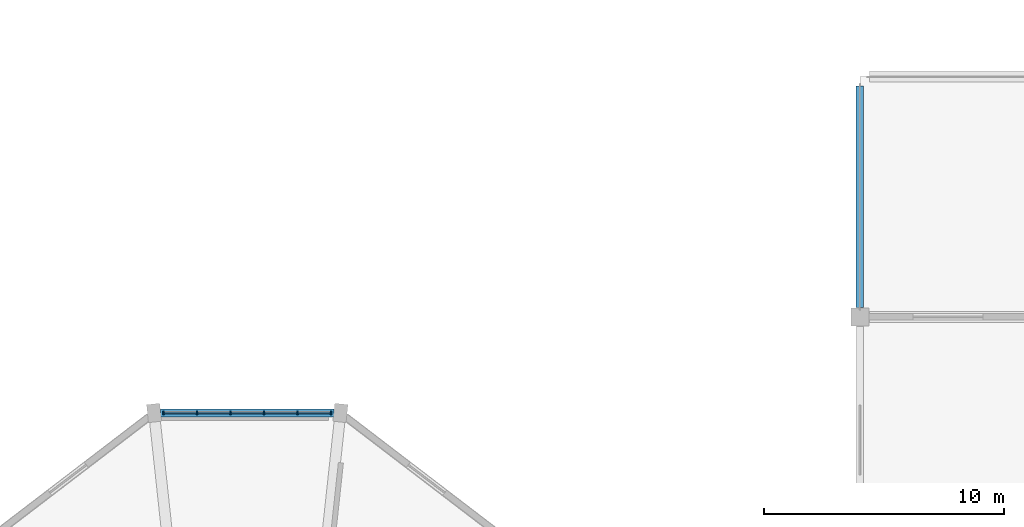
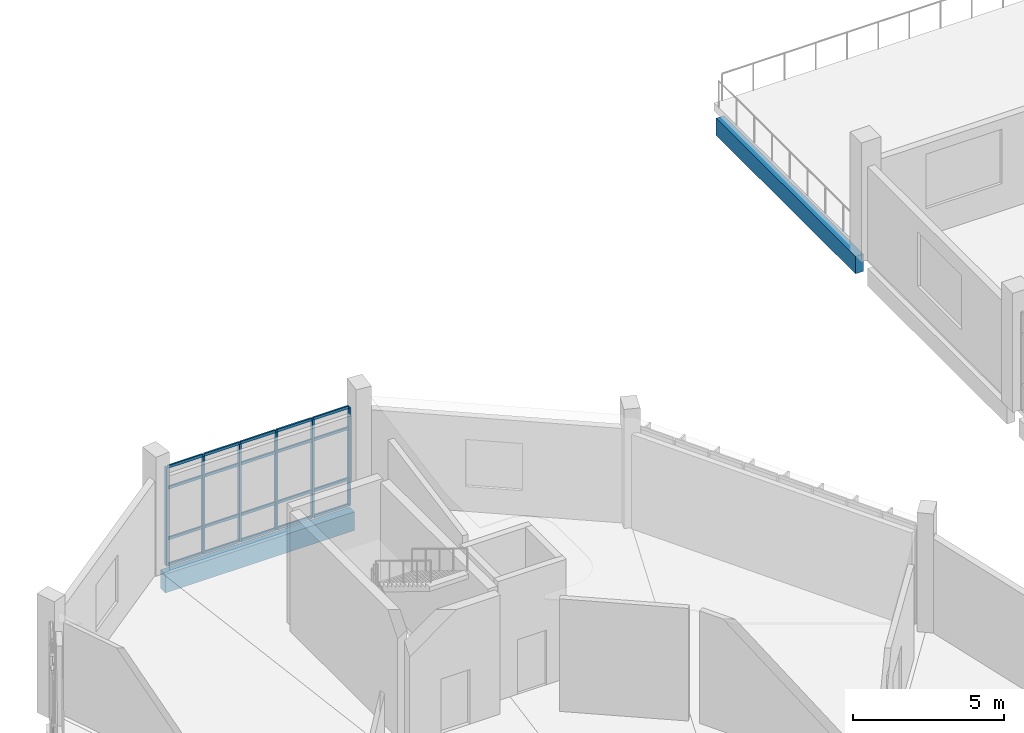
# One storey, part 77 of 179: 26 members, 2 beams, 1 element without a shape of its own.
"""IFC4 building model written with IfcOpenShell, lengths in metres."""

from ifc_helpers import new_model, si_unit, direction, frame, origin, origin_2d, place, context, subcontext, project, spatial, rectangle, extrude, material, layer, layer_set, material_profile, profile_set, type_object, element, aggregate, save


model = new_model("IFC4")

# Units and contexts
model_context = context("Model", 3, precision=1e-05, world=origin(), true_north=direction((0.0, 1.0)))
body_context = subcontext(model_context, "Body", "Model", "MODEL_VIEW")
ifc_project = project(units=[si_unit("LENGTHUNIT", "METRE"), si_unit("AREAUNIT", "SQUARE_METRE"), si_unit("VOLUMEUNIT", "CUBIC_METRE"), si_unit("PLANEANGLEUNIT", "RADIAN"), si_unit("MASSUNIT", "GRAM", prefix="KILO")], contexts=[model_context])

# Site, building, storey
site_placement = place(None, origin())
site = spatial("IfcSite", under=ifc_project, at=site_placement, CompositionType="ELEMENT")
building_placement = place(site_placement, origin())
building = spatial("IfcBuilding", under=site, at=building_placement, Name="Corvandel Quay Wholesale Market", CompositionType="ELEMENT")
storey_placement = place(building_placement, frame((0.0, 0.0, 6.0)))
storey = spatial("IfcBuildingStorey", under=building, at=storey_placement, Name="L01", CompositionType="ELEMENT", Elevation=6.0)

# Curtain wall, members
ifc_material_1 = material(Name="Bronze anodised aluminium and low-E insulated glazing", Category="aluminium")
ifc_layer = layer(ifc_material_1, 0.18603515625)
ifc_layer_set = layer_set([ifc_layer], Name="Bronze anodised aluminium and low-E insulated glazing")
curtain_wall_type = type_object("IfcCurtainWallType", Name="Stick Curtain Wall System CW13 H4170", PredefinedType="NOTDEFINED", material=ifc_layer_set)
curtain_wall_placement = place(storey_placement, origin())
curtain_wall = element("IfcCurtainWall", 1, at=curtain_wall_placement, inside=storey, type_object=curtain_wall_type, Name="Curtain Wall CW-0132", PredefinedType="NOTDEFINED")
ifc_material_2 = material(Name="Anodised aluminium 6063-T6", Category="aluminium")
ifc_material_profile_1 = material_profile(ifc_material_2, rectangle(XDim=0.06494140625, YDim=0.14990234375, at=origin_2d()), Name="ALU-MUL-65x150")
ifc_profile_set_1 = profile_set([ifc_material_profile_1], Name="Anodised aluminium 6063-T6")
member_type_1 = type_object("IfcMemberType", Name="Curtain Wall Mullion ML02 65x150", PredefinedType="MULLION", material=ifc_profile_set_1)
member_1_placement = place(storey_placement, frame((197.97900390625, 96.0, 0.0), z_axis=(0.0, 0.0, 1.0), x_axis=(1.0, 0.0, 0.0)))
member_1 = element("IfcMember", 2, at=member_1_placement, type_object=member_type_1, Name="Mullion CW-0132-M00", PredefinedType="MULLION", context=body_context, shape_type="SweptSolid", body=[
    extrude(rectangle(XDim=0.06494140625, YDim=0.14990234375, at=origin_2d()), origin(), (0.0, 0.0, 1.0), 3.949951171875),
])
member_2_placement = place(storey_placement, frame((196.58740234375, 96.0, 0.0), z_axis=(0.0, 0.0, 1.0), x_axis=(1.0, 0.0, 0.0)))
member_2 = element("IfcMember", 3, at=member_2_placement, type_object=member_type_1, Name="Mullion CW-0132-M01", PredefinedType="MULLION", context=body_context, shape_type="SweptSolid", body=[
    extrude(rectangle(XDim=0.06494140625, YDim=0.14990234375, at=origin_2d()), origin(), (0.0, 0.0, 1.0), 3.949951171875),
])
member_3_placement = place(storey_placement, frame((195.19580078125, 96.0, 0.0), z_axis=(0.0, 0.0, 1.0), x_axis=(1.0, 0.0, 0.0)))
member_3 = element("IfcMember", 4, at=member_3_placement, type_object=member_type_1, Name="Mullion CW-0132-M02", PredefinedType="MULLION", context=body_context, shape_type="SweptSolid", body=[
    extrude(rectangle(XDim=0.06494140625, YDim=0.14990234375, at=origin_2d()), origin(), (0.0, 0.0, 1.0), 3.949951171875),
])
member_4_placement = place(storey_placement, frame((193.80419921875, 96.0, 0.0), z_axis=(0.0, 0.0, 1.0), x_axis=(1.0, 0.0, 0.0)))
member_4 = element("IfcMember", 5, at=member_4_placement, type_object=member_type_1, Name="Mullion CW-0132-M03", PredefinedType="MULLION", context=body_context, shape_type="SweptSolid", body=[
    extrude(rectangle(XDim=0.06494140625, YDim=0.14990234375, at=origin_2d()), origin(), (0.0, 0.0, 1.0), 3.949951171875),
])
member_5_placement = place(storey_placement, frame((192.41259765625, 96.0, 0.0), z_axis=(0.0, 0.0, 1.0), x_axis=(1.0, 0.0, 0.0)))
member_5 = element("IfcMember", 6, at=member_5_placement, type_object=member_type_1, Name="Mullion CW-0132-M04", PredefinedType="MULLION", context=body_context, shape_type="SweptSolid", body=[
    extrude(rectangle(XDim=0.06494140625, YDim=0.14990234375, at=origin_2d()), origin(), (0.0, 0.0, 1.0), 3.949951171875),
])
member_6_placement = place(storey_placement, frame((191.02099609375, 96.0, 0.0), z_axis=(0.0, 0.0, 1.0), x_axis=(1.0, 0.0, 0.0)))
member_6 = element("IfcMember", 7, at=member_6_placement, type_object=member_type_1, Name="Mullion CW-0132-M05", PredefinedType="MULLION", context=body_context, shape_type="SweptSolid", body=[
    extrude(rectangle(XDim=0.06494140625, YDim=0.14990234375, at=origin_2d()), origin(), (0.0, 0.0, 1.0), 3.949951171875),
])
ifc_material_profile_2 = material_profile(ifc_material_2, rectangle(XDim=0.06005859375, YDim=0.110107421875, at=origin_2d()), Name="ALU-TRN-60x110")
ifc_profile_set_2 = profile_set([ifc_material_profile_2], Name="Anodised aluminium 6063-T6")
member_type_2 = type_object("IfcMemberType", Name="Curtain Wall Transom TR02 60x110", PredefinedType="USERDEFINED", material=ifc_profile_set_2)
member_7_placement = place(storey_placement, frame((197.946533203125, 96.0, 0.0), z_axis=(-1.0, 0.0, 0.0), x_axis=(0.0, -1.0, 0.0)))
member_7 = element("IfcMember", 8, at=member_7_placement, type_object=member_type_2, Name="Transom CW-0132-T00-0", ObjectType="TRANSOM", PredefinedType="USERDEFINED", context=body_context, shape_type="SweptSolid", body=[
    extrude(rectangle(XDim=0.06005859375, YDim=0.110107421875, at=origin_2d()), origin(), (0.0, 0.0, 1.0), 1.32666015625),
])
member_8_placement = place(storey_placement, frame((197.946533203125, 96.0, 1.050048828125), z_axis=(-1.0, 0.0, 0.0), x_axis=(0.0, -1.0, 0.0)))
member_8 = element("IfcMember", 9, at=member_8_placement, type_object=member_type_2, Name="Transom CW-0132-T00-1", ObjectType="TRANSOM", PredefinedType="USERDEFINED", context=body_context, shape_type="SweptSolid", body=[
    extrude(rectangle(XDim=0.06005859375, YDim=0.110107421875, at=origin_2d()), origin(), (0.0, 0.0, 1.0), 1.32666015625),
])
member_9_placement = place(storey_placement, frame((197.946533203125, 96.0, 3.10009765625), z_axis=(-1.0, 0.0, 0.0), x_axis=(0.0, -1.0, 0.0)))
member_9 = element("IfcMember", 10, at=member_9_placement, type_object=member_type_2, Name="Transom CW-0132-T00-2", ObjectType="TRANSOM", PredefinedType="USERDEFINED", context=body_context, shape_type="SweptSolid", body=[
    extrude(rectangle(XDim=0.06005859375, YDim=0.110107421875, at=origin_2d()), origin(), (0.0, 0.0, 1.0), 1.32666015625),
])
member_10_placement = place(storey_placement, frame((197.946533203125, 96.0, 3.949951171875), z_axis=(-1.0, 0.0, 0.0), x_axis=(0.0, -1.0, 0.0)))
member_10 = element("IfcMember", 11, at=member_10_placement, type_object=member_type_2, Name="Transom CW-0132-T00-3", ObjectType="TRANSOM", PredefinedType="USERDEFINED", context=body_context, shape_type="SweptSolid", body=[
    extrude(rectangle(XDim=0.06005859375, YDim=0.110107421875, at=origin_2d()), origin(), (0.0, 0.0, 1.0), 1.32666015625),
])
member_11_placement = place(storey_placement, frame((196.554931640625, 96.0, 0.0), z_axis=(-1.0, 0.0, 0.0), x_axis=(0.0, -1.0, 0.0)))
member_11 = element("IfcMember", 12, at=member_11_placement, type_object=member_type_2, Name="Transom CW-0132-T01-0", ObjectType="TRANSOM", PredefinedType="USERDEFINED", context=body_context, shape_type="SweptSolid", body=[
    extrude(rectangle(XDim=0.06005859375, YDim=0.110107421875, at=origin_2d()), origin(), (0.0, 0.0, 1.0), 1.32666015625),
])
member_12_placement = place(storey_placement, frame((196.554931640625, 96.0, 1.050048828125), z_axis=(-1.0, 0.0, 0.0), x_axis=(0.0, -1.0, 0.0)))
member_12 = element("IfcMember", 13, at=member_12_placement, type_object=member_type_2, Name="Transom CW-0132-T01-1", ObjectType="TRANSOM", PredefinedType="USERDEFINED", context=body_context, shape_type="SweptSolid", body=[
    extrude(rectangle(XDim=0.06005859375, YDim=0.110107421875, at=origin_2d()), origin(), (0.0, 0.0, 1.0), 1.32666015625),
])
member_13_placement = place(storey_placement, frame((196.554931640625, 96.0, 3.10009765625), z_axis=(-1.0, 0.0, 0.0), x_axis=(0.0, -1.0, 0.0)))
member_13 = element("IfcMember", 14, at=member_13_placement, type_object=member_type_2, Name="Transom CW-0132-T01-2", ObjectType="TRANSOM", PredefinedType="USERDEFINED", context=body_context, shape_type="SweptSolid", body=[
    extrude(rectangle(XDim=0.06005859375, YDim=0.110107421875, at=origin_2d()), origin(), (0.0, 0.0, 1.0), 1.32666015625),
])
member_14_placement = place(storey_placement, frame((196.554931640625, 96.0, 3.949951171875), z_axis=(-1.0, 0.0, 0.0), x_axis=(0.0, -1.0, 0.0)))
member_14 = element("IfcMember", 15, at=member_14_placement, type_object=member_type_2, Name="Transom CW-0132-T01-3", ObjectType="TRANSOM", PredefinedType="USERDEFINED", context=body_context, shape_type="SweptSolid", body=[
    extrude(rectangle(XDim=0.06005859375, YDim=0.110107421875, at=origin_2d()), origin(), (0.0, 0.0, 1.0), 1.32666015625),
])
member_15_placement = place(storey_placement, frame((195.163330078125, 96.0, 0.0), z_axis=(-1.0, 0.0, 0.0), x_axis=(0.0, -1.0, 0.0)))
member_15 = element("IfcMember", 16, at=member_15_placement, type_object=member_type_2, Name="Transom CW-0132-T02-0", ObjectType="TRANSOM", PredefinedType="USERDEFINED", context=body_context, shape_type="SweptSolid", body=[
    extrude(rectangle(XDim=0.06005859375, YDim=0.110107421875, at=origin_2d()), origin(), (0.0, 0.0, 1.0), 1.32666015625),
])
member_16_placement = place(storey_placement, frame((195.163330078125, 96.0, 1.050048828125), z_axis=(-1.0, 0.0, 0.0), x_axis=(0.0, -1.0, 0.0)))
member_16 = element("IfcMember", 17, at=member_16_placement, type_object=member_type_2, Name="Transom CW-0132-T02-1", ObjectType="TRANSOM", PredefinedType="USERDEFINED", context=body_context, shape_type="SweptSolid", body=[
    extrude(rectangle(XDim=0.06005859375, YDim=0.110107421875, at=origin_2d()), origin(), (0.0, 0.0, 1.0), 1.32666015625),
])
member_17_placement = place(storey_placement, frame((195.163330078125, 96.0, 3.10009765625), z_axis=(-1.0, 0.0, 0.0), x_axis=(0.0, -1.0, 0.0)))
member_17 = element("IfcMember", 18, at=member_17_placement, type_object=member_type_2, Name="Transom CW-0132-T02-2", ObjectType="TRANSOM", PredefinedType="USERDEFINED", context=body_context, shape_type="SweptSolid", body=[
    extrude(rectangle(XDim=0.06005859375, YDim=0.110107421875, at=origin_2d()), origin(), (0.0, 0.0, 1.0), 1.32666015625),
])
member_18_placement = place(storey_placement, frame((195.163330078125, 96.0, 3.949951171875), z_axis=(-1.0, 0.0, 0.0), x_axis=(0.0, -1.0, 0.0)))
member_18 = element("IfcMember", 19, at=member_18_placement, type_object=member_type_2, Name="Transom CW-0132-T02-3", ObjectType="TRANSOM", PredefinedType="USERDEFINED", context=body_context, shape_type="SweptSolid", body=[
    extrude(rectangle(XDim=0.06005859375, YDim=0.110107421875, at=origin_2d()), origin(), (0.0, 0.0, 1.0), 1.32666015625),
])
member_19_placement = place(storey_placement, frame((193.771728515625, 96.0, 0.0), z_axis=(-1.0, 0.0, 0.0), x_axis=(0.0, -1.0, 0.0)))
member_19 = element("IfcMember", 20, at=member_19_placement, type_object=member_type_2, Name="Transom CW-0132-T03-0", ObjectType="TRANSOM", PredefinedType="USERDEFINED", context=body_context, shape_type="SweptSolid", body=[
    extrude(rectangle(XDim=0.06005859375, YDim=0.110107421875, at=origin_2d()), origin(), (0.0, 0.0, 1.0), 1.32666015625),
])
member_20_placement = place(storey_placement, frame((193.771728515625, 96.0, 1.050048828125), z_axis=(-1.0, 0.0, 0.0), x_axis=(0.0, -1.0, 0.0)))
member_20 = element("IfcMember", 21, at=member_20_placement, type_object=member_type_2, Name="Transom CW-0132-T03-1", ObjectType="TRANSOM", PredefinedType="USERDEFINED", context=body_context, shape_type="SweptSolid", body=[
    extrude(rectangle(XDim=0.06005859375, YDim=0.110107421875, at=origin_2d()), origin(), (0.0, 0.0, 1.0), 1.32666015625),
])
member_21_placement = place(storey_placement, frame((193.771728515625, 96.0, 3.10009765625), z_axis=(-1.0, 0.0, 0.0), x_axis=(0.0, -1.0, 0.0)))
member_21 = element("IfcMember", 22, at=member_21_placement, type_object=member_type_2, Name="Transom CW-0132-T03-2", ObjectType="TRANSOM", PredefinedType="USERDEFINED", context=body_context, shape_type="SweptSolid", body=[
    extrude(rectangle(XDim=0.06005859375, YDim=0.110107421875, at=origin_2d()), origin(), (0.0, 0.0, 1.0), 1.32666015625),
])
member_22_placement = place(storey_placement, frame((193.771728515625, 96.0, 3.949951171875), z_axis=(-1.0, 0.0, 0.0), x_axis=(0.0, -1.0, 0.0)))
member_22 = element("IfcMember", 23, at=member_22_placement, type_object=member_type_2, Name="Transom CW-0132-T03-3", ObjectType="TRANSOM", PredefinedType="USERDEFINED", context=body_context, shape_type="SweptSolid", body=[
    extrude(rectangle(XDim=0.06005859375, YDim=0.110107421875, at=origin_2d()), origin(), (0.0, 0.0, 1.0), 1.32666015625),
])
member_23_placement = place(storey_placement, frame((192.380126953125, 96.0, 0.0), z_axis=(-1.0, 0.0, 0.0), x_axis=(0.0, -1.0, 0.0)))
member_23 = element("IfcMember", 24, at=member_23_placement, type_object=member_type_2, Name="Transom CW-0132-T04-0", ObjectType="TRANSOM", PredefinedType="USERDEFINED", context=body_context, shape_type="SweptSolid", body=[
    extrude(rectangle(XDim=0.06005859375, YDim=0.110107421875, at=origin_2d()), origin(), (0.0, 0.0, 1.0), 1.32666015625),
])
member_24_placement = place(storey_placement, frame((192.380126953125, 96.0, 1.050048828125), z_axis=(-1.0, 0.0, 0.0), x_axis=(0.0, -1.0, 0.0)))
member_24 = element("IfcMember", 25, at=member_24_placement, type_object=member_type_2, Name="Transom CW-0132-T04-1", ObjectType="TRANSOM", PredefinedType="USERDEFINED", context=body_context, shape_type="SweptSolid", body=[
    extrude(rectangle(XDim=0.06005859375, YDim=0.110107421875, at=origin_2d()), origin(), (0.0, 0.0, 1.0), 1.32666015625),
])
member_25_placement = place(storey_placement, frame((192.380126953125, 96.0, 3.10009765625), z_axis=(-1.0, 0.0, 0.0), x_axis=(0.0, -1.0, 0.0)))
member_25 = element("IfcMember", 26, at=member_25_placement, type_object=member_type_2, Name="Transom CW-0132-T04-2", ObjectType="TRANSOM", PredefinedType="USERDEFINED", context=body_context, shape_type="SweptSolid", body=[
    extrude(rectangle(XDim=0.06005859375, YDim=0.110107421875, at=origin_2d()), origin(), (0.0, 0.0, 1.0), 1.32666015625),
])
member_26_placement = place(storey_placement, frame((192.380126953125, 96.0, 3.949951171875), z_axis=(-1.0, 0.0, 0.0), x_axis=(0.0, -1.0, 0.0)))
member_26 = element("IfcMember", 27, at=member_26_placement, type_object=member_type_2, Name="Transom CW-0132-T04-3", ObjectType="TRANSOM", PredefinedType="USERDEFINED", context=body_context, shape_type="SweptSolid", body=[
    extrude(rectangle(XDim=0.06005859375, YDim=0.110107421875, at=origin_2d()), origin(), (0.0, 0.0, 1.0), 1.32666015625),
])
aggregate(curtain_wall, [member_1, member_2, member_3, member_4, member_5, member_6, member_7, member_8, member_9, member_10, member_11, member_12, member_13, member_14, member_15, member_16, member_17, member_18, member_19, member_20, member_21, member_22, member_23, member_24, member_25, member_26])

# Beams
ifc_material_3 = material(Name="Precast concrete C45/55", Category="concrete")
ifc_material_profile_3 = material_profile(ifc_material_3, rectangle(XDim=0.320068359375, YDim=0.75, at=origin_2d()), Name="PC-SPN-320x750")
ifc_profile_set_3 = profile_set([ifc_material_profile_3], Name="Precast concrete C45/55")
beam_type_1 = type_object("IfcBeamType", Name="Pavilion Precast Spandrel SP02 320x750", PredefinedType="SPANDREL", material=ifc_profile_set_3)
beam_1_placement = place(storey_placement, frame((198.10888671875, 96.0, -0.614990234375), z_axis=(-1.0, 0.0, 0.0), x_axis=(0.0, -1.0, 0.0)))
element("IfcBeam", 28, at=beam_1_placement, inside=storey, type_object=beam_type_1, Name="Beam BM-0800", PredefinedType="SPANDREL", context=body_context, shape_type="SweptSolid", body=[
    extrude(rectangle(XDim=0.320068359375, YDim=0.75, at=origin_2d()), origin(), (0.0, 0.0, 1.0), 7.2177734375),
])
ifc_material_profile_4 = material_profile(ifc_material_3, rectangle(XDim=0.300048828125, YDim=0.699951171875, at=origin_2d()), Name="PC-SPN-300x700")
ifc_profile_set_4 = profile_set([ifc_material_profile_4], Name="Precast concrete C45/55")
beam_type_2 = type_object("IfcBeamType", Name="Terrace Edge Spandrel SP03 300x700", PredefinedType="SPANDREL", material=ifc_profile_set_4)
beam_2_placement = place(storey_placement, frame((220.0, 100.39501953125, -0.669921875), z_axis=(0.0, 1.0, 0.0), x_axis=(-1.0, 0.0, 0.0)))
element("IfcBeam", 29, at=beam_2_placement, inside=storey, type_object=beam_type_2, Name="Beam BM-1448", PredefinedType="SPANDREL", context=body_context, shape_type="SweptSolid", body=[
    extrude(rectangle(XDim=0.300048828125, YDim=0.699951171875, at=origin_2d()), origin(), (0.0, 0.0, 1.0), 9.2099609375),
])

save(model, "model.ifc")
